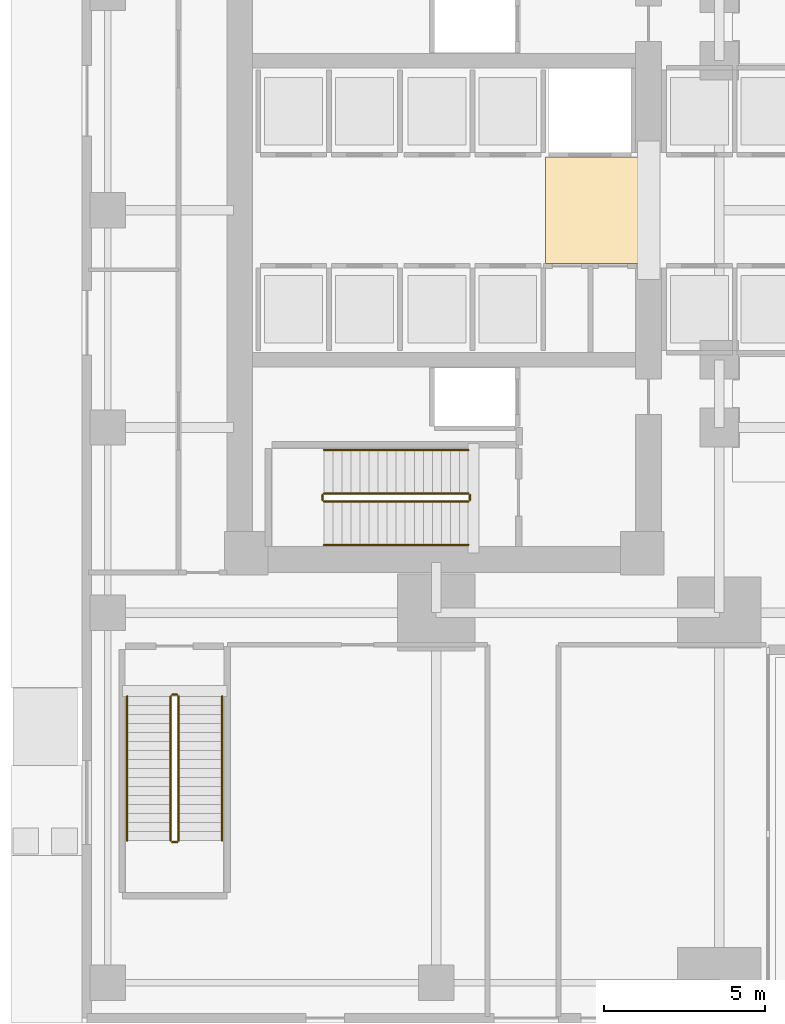
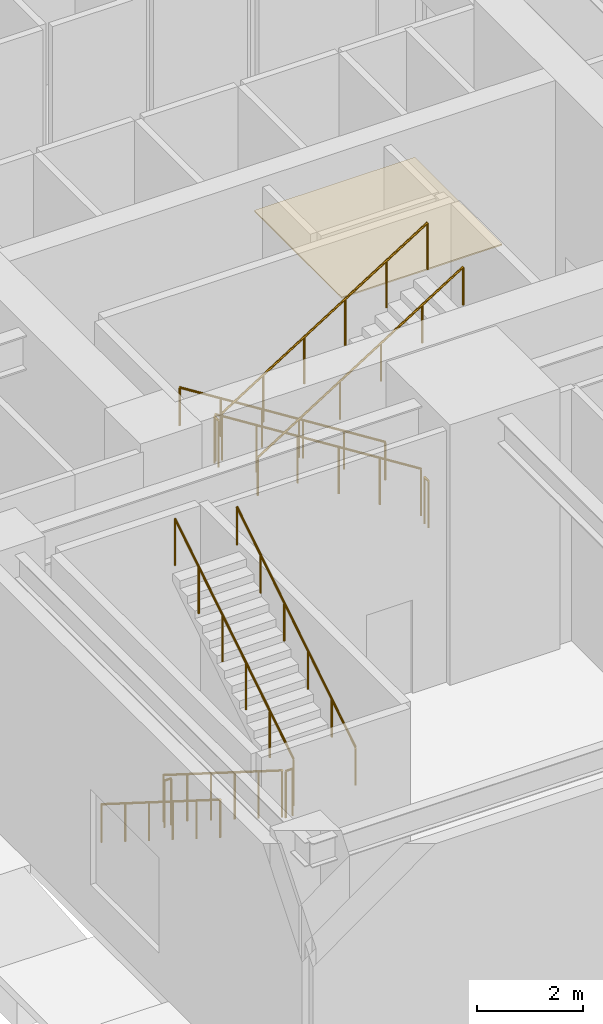
# One storey, part 13 of 17: 12 railings, 1 covering.
"""IFC4 building model written with IfcOpenShell, lengths in metres."""

from ifc_helpers import new_model, si_unit, direction, frame, origin, origin_2d, place, context, subcontext, project, spatial, polyline, circle, outline, extrude, material, layer, layer_set, type_object, element, save


model = new_model("IFC4")

# Units and contexts
model_context = context("Model", 3, precision=1e-05, world=origin(), true_north=direction((0.0, 1.0)))
body_context = subcontext(model_context, "Body", "Model", "MODEL_VIEW")
ifc_project = project(units=[si_unit("LENGTHUNIT", "METRE"), si_unit("AREAUNIT", "SQUARE_METRE"), si_unit("VOLUMEUNIT", "CUBIC_METRE"), si_unit("PLANEANGLEUNIT", "RADIAN"), si_unit("MASSUNIT", "GRAM", prefix="KILO")], contexts=[model_context])

# Site, building, storey
site_placement = place(None, origin())
site = spatial("IfcSite", under=ifc_project, at=site_placement, CompositionType="ELEMENT")
building_placement = place(site_placement, origin())
building = spatial("IfcBuilding", under=site, at=building_placement, Name="Kinhvarn Gate Tower", CompositionType="ELEMENT")
storey_placement = place(building_placement, origin())
storey = spatial("IfcBuildingStorey", under=building, at=storey_placement, Name="L00", CompositionType="ELEMENT", Elevation=0.0)

# Covering
ifc_material_1 = material(Name="Honed granite architectural paving", Category="masonry")
ifc_layer = layer(ifc_material_1, 0.030029296875)
ifc_layer_set = layer_set([ifc_layer], Name="Honed granite architectural paving")
covering_type = type_object("IfcCoveringType", Name="COV-FLR-30", PredefinedType="FLOORING", material=ifc_layer_set)
covering_placement = place(storey_placement, origin())
element("IfcCovering", 1, at=covering_placement, inside=storey, type_object=covering_type, Name="Honed Granite Lift Lobby Flooring (L00)", PredefinedType="FLOORING", context=body_context, shape_type="SweptSolid", body=[
    extrude(outline(polyline([(14.39990234375, 23.60009765625), (14.39990234375, 26.89990234375), (17.89990234375, 26.89990234375), (17.89990234375, 23.60009765625), (14.39990234375, 23.60009765625)])), origin(), (0.0, 0.0, 1.0), 0.030029296875),
])

# Railings
ifc_material_2 = material(Name="Steel S355", Category="steel")
railing_type_1 = type_object("IfcRailingType", Name="RL-ST-GRD", PredefinedType="BALUSTRADE", material=ifc_material_2)
railing_1_placement = place(storey_placement, frame((12.0, 16.449951171875, 0.176513671875)))
element("IfcRailing", 2, at=railing_1_placement, inside=storey, type_object=railing_type_1, Name="L00 ST1 stair guard 1", PredefinedType="BALUSTRADE", context=body_context, shape_type="SweptSolid", body=[
    extrude(circle(Radius=0.02392578125, at=origin_2d()), frame((0.0, 0.0, 1.076171875), z_axis=(-0.845997938375, 0.0, 0.533186166611), x_axis=(0.0, -1.0, 0.0)), (0.0, 0.0, 1.0), 5.29541015625),
    extrude(circle(Radius=0.02099609375, at=origin_2d()), origin(), (0.0, 0.0, 1.0), 1.052001953125),
    extrude(circle(Radius=0.02099609375, at=origin_2d()), frame((-0.89599609375, 0.0, 0.564697265625)), (0.0, 0.0, 1.0), 1.052001953125),
    extrude(circle(Radius=0.02099609375, at=origin_2d()), frame((-1.7919921875, 0.0, 1.12939453125)), (0.0, 0.0, 1.0), 1.052001953125),
    extrude(circle(Radius=0.02099609375, at=origin_2d()), frame((-2.68798828125, 0.0, 1.694091796875)), (0.0, 0.0, 1.0), 1.052001953125),
    extrude(circle(Radius=0.02099609375, at=origin_2d()), frame((-3.583984375, 0.0, 2.2587890625)), (0.0, 0.0, 1.0), 1.052001953125),
    extrude(circle(Radius=0.02099609375, at=origin_2d()), frame((-4.47998046875, 0.0, 2.823486328125)), (0.0, 0.0, 1.0), 1.052001953125),
])
railing_2_placement = place(storey_placement, frame((7.469970703125, 16.39990234375, 3.0)))
element("IfcRailing", 3, at=railing_2_placement, inside=storey, type_object=railing_type_1, Name="L00 ST1 stair guard 2", PredefinedType="BALUSTRADE", context=body_context, shape_type="SweptSolid", body=[
    extrude(circle(Radius=0.02392578125, at=origin_2d()), frame((0.0, 0.0, 1.076171875), z_axis=(0.0, -1.0, 0.0), x_axis=(1.0, 0.0, 0.0)), (0.0, 0.0, 1.0), 0.14990234375),
    extrude(circle(Radius=0.02099609375, at=origin_2d()), origin(), (0.0, 0.0, 1.0), 1.052001953125),
    extrude(circle(Radius=0.02099609375, at=origin_2d()), frame((0.0, -0.14990234375, 0.0)), (0.0, 0.0, 1.0), 1.052001953125),
])
railing_3_placement = place(storey_placement, frame((7.52001953125, 16.199951171875, 3.176513671875)))
element("IfcRailing", 4, at=railing_3_placement, inside=storey, type_object=railing_type_1, Name="L00 ST1 stair guard 3", PredefinedType="BALUSTRADE", context=body_context, shape_type="SweptSolid", body=[
    extrude(circle(Radius=0.02392578125, at=origin_2d()), frame((0.0, 0.0, 1.076171875), z_axis=(0.845997938375, 0.0, 0.533186166611), x_axis=(0.0, 1.0, 0.0)), (0.0, 0.0, 1.0), 5.29541015625),
    extrude(circle(Radius=0.02099609375, at=origin_2d()), origin(), (0.0, 0.0, 1.0), 1.052001953125),
    extrude(circle(Radius=0.02099609375, at=origin_2d()), frame((0.89599609375, 0.0, 0.564697265625)), (0.0, 0.0, 1.0), 1.052001953125),
    extrude(circle(Radius=0.02099609375, at=origin_2d()), frame((1.7919921875, 0.0, 1.12939453125)), (0.0, 0.0, 1.0), 1.052001953125),
    extrude(circle(Radius=0.02099609375, at=origin_2d()), frame((2.68798828125, 0.0, 1.694091796875)), (0.0, 0.0, 1.0), 1.052001953125),
    extrude(circle(Radius=0.02099609375, at=origin_2d()), frame((3.583984375, 0.0, 2.2587890625)), (0.0, 0.0, 1.0), 1.052001953125),
    extrude(circle(Radius=0.02099609375, at=origin_2d()), frame((4.47998046875, 0.0, 2.823486328125)), (0.0, 0.0, 1.0), 1.052001953125),
])
railing_4_placement = place(storey_placement, frame((12.050048828125, 16.39990234375, 0.0)))
element("IfcRailing", 5, at=railing_4_placement, inside=storey, type_object=railing_type_1, Name="L00 ST1 stair guard 4", PredefinedType="BALUSTRADE", context=body_context, shape_type="SweptSolid", body=[
    extrude(circle(Radius=0.02392578125, at=origin_2d()), frame((0.0, 0.0, 1.076171875), z_axis=(0.0, -1.0, 0.0), x_axis=(1.0, 0.0, 0.0)), (0.0, 0.0, 1.0), 0.14990234375),
    extrude(circle(Radius=0.02099609375, at=origin_2d()), origin(), (0.0, 0.0, 1.0), 1.052001953125),
    extrude(circle(Radius=0.02099609375, at=origin_2d()), frame((0.0, -0.14990234375, 0.0)), (0.0, 0.0, 1.0), 1.052001953125),
])
railing_5_placement = place(storey_placement, frame((2.75, 10.14990234375, 0.176513671875)))
element("IfcRailing", 6, at=railing_5_placement, inside=storey, type_object=railing_type_1, Name="L00 ST3 stair guard 1", PredefinedType="BALUSTRADE", context=body_context, shape_type="SweptSolid", body=[
    extrude(circle(Radius=0.02392578125, at=origin_2d()), frame((0.0, 0.0, 1.076171875), z_axis=(0.0, -0.845997938375, 0.533186166611), x_axis=(1.0, 0.0, 0.0)), (0.0, 0.0, 1.0), 5.29541015625),
    extrude(circle(Radius=0.02099609375, at=origin_2d()), origin(), (0.0, 0.0, 1.0), 1.052001953125),
    extrude(circle(Radius=0.02099609375, at=origin_2d()), frame((0.0, -0.89599609375, 0.564697265625)), (0.0, 0.0, 1.0), 1.052001953125),
    extrude(circle(Radius=0.02099609375, at=origin_2d()), frame((0.0, -1.7919921875, 1.12939453125)), (0.0, 0.0, 1.0), 1.052001953125),
    extrude(circle(Radius=0.02099609375, at=origin_2d()), frame((0.0, -2.68798828125, 1.694091796875)), (0.0, 0.0, 1.0), 1.052001953125),
    extrude(circle(Radius=0.02099609375, at=origin_2d()), frame((0.0, -3.583984375, 2.2587890625)), (0.0, 0.0, 1.0), 1.052001953125),
    extrude(circle(Radius=0.02099609375, at=origin_2d()), frame((0.0, -4.47998046875, 2.823486328125)), (0.0, 0.0, 1.0), 1.052001953125),
])
railing_6_placement = place(storey_placement, frame((2.800048828125, 5.6201171875, 3.0)))
element("IfcRailing", 7, at=railing_6_placement, inside=storey, type_object=railing_type_1, Name="L00 ST3 stair guard 2", PredefinedType="BALUSTRADE", context=body_context, shape_type="SweptSolid", body=[
    extrude(circle(Radius=0.02392578125, at=origin_2d()), frame((0.0, 0.0, 1.076171875), z_axis=(1.0, 0.0, 0.0), x_axis=(0.0, 1.0, 0.0)), (0.0, 0.0, 1.0), 0.14990234375),
    extrude(circle(Radius=0.02099609375, at=origin_2d()), origin(), (0.0, 0.0, 1.0), 1.052001953125),
    extrude(circle(Radius=0.02099609375, at=origin_2d()), frame((0.14990234375, 0.0, 0.0)), (0.0, 0.0, 1.0), 1.052001953125),
])
railing_7_placement = place(storey_placement, frame((3.0, 5.669921875, 3.176513671875)))
element("IfcRailing", 8, at=railing_7_placement, inside=storey, type_object=railing_type_1, Name="L00 ST3 stair guard 3", PredefinedType="BALUSTRADE", context=body_context, shape_type="SweptSolid", body=[
    extrude(circle(Radius=0.02392578125, at=origin_2d()), frame((0.0, 0.0, 1.076171875), z_axis=(0.0, 0.845997938375, 0.533186166611), x_axis=(-1.0, 0.0, 0.0)), (0.0, 0.0, 1.0), 5.29541015625),
    extrude(circle(Radius=0.02099609375, at=origin_2d()), origin(), (0.0, 0.0, 1.0), 1.052001953125),
    extrude(circle(Radius=0.02099609375, at=origin_2d()), frame((0.0, 0.89599609375, 0.564697265625)), (0.0, 0.0, 1.0), 1.052001953125),
    extrude(circle(Radius=0.02099609375, at=origin_2d()), frame((0.0, 1.7919921875, 1.12939453125)), (0.0, 0.0, 1.0), 1.052001953125),
    extrude(circle(Radius=0.02099609375, at=origin_2d()), frame((0.0, 2.68798828125, 1.694091796875)), (0.0, 0.0, 1.0), 1.052001953125),
    extrude(circle(Radius=0.02099609375, at=origin_2d()), frame((0.0, 3.583984375, 2.2587890625)), (0.0, 0.0, 1.0), 1.052001953125),
    extrude(circle(Radius=0.02099609375, at=origin_2d()), frame((0.0, 4.47998046875, 2.823486328125)), (0.0, 0.0, 1.0), 1.052001953125),
])
railing_8_placement = place(storey_placement, frame((2.800048828125, 10.199951171875, 0.0)))
element("IfcRailing", 9, at=railing_8_placement, inside=storey, type_object=railing_type_1, Name="L00 ST3 stair guard 4", PredefinedType="BALUSTRADE", context=body_context, shape_type="SweptSolid", body=[
    extrude(circle(Radius=0.02392578125, at=origin_2d()), frame((0.0, 0.0, 1.076171875), z_axis=(1.0, 0.0, 0.0), x_axis=(0.0, 1.0, 0.0)), (0.0, 0.0, 1.0), 0.14990234375),
    extrude(circle(Radius=0.02099609375, at=origin_2d()), origin(), (0.0, 0.0, 1.0), 1.052001953125),
    extrude(circle(Radius=0.02099609375, at=origin_2d()), frame((0.14990234375, 0.0, 0.0)), (0.0, 0.0, 1.0), 1.052001953125),
])
railing_type_2 = type_object("IfcRailingType", Name="RL-ST-HND", PredefinedType="HANDRAIL", material=ifc_material_2)
railing_9_placement = place(storey_placement, frame((12.0, 17.800048828125, 0.176513671875)))
element("IfcRailing", 10, at=railing_9_placement, inside=storey, type_object=railing_type_2, Name="L00 ST1 stair handrail 1", PredefinedType="HANDRAIL", context=body_context, shape_type="SweptSolid", body=[
    extrude(circle(Radius=0.02392578125, at=origin_2d()), frame((0.0, 0.0, 0.8759765625), z_axis=(-0.845997938375, 0.0, 0.533186166611), x_axis=(0.0, -1.0, 0.0)), (0.0, 0.0, 1.0), 5.29541015625),
    extrude(circle(Radius=0.02099609375, at=origin_2d()), origin(), (0.0, 0.0, 1.0), 0.851806640625),
    extrude(circle(Radius=0.02099609375, at=origin_2d()), frame((-0.89599609375, 0.0, 0.564697265625)), (0.0, 0.0, 1.0), 0.851806640625),
    extrude(circle(Radius=0.02099609375, at=origin_2d()), frame((-1.7919921875, 0.0, 1.12939453125)), (0.0, 0.0, 1.0), 0.851806640625),
    extrude(circle(Radius=0.02099609375, at=origin_2d()), frame((-2.68798828125, 0.0, 1.694091796875)), (0.0, 0.0, 1.0), 0.851806640625),
    extrude(circle(Radius=0.02099609375, at=origin_2d()), frame((-3.583984375, 0.0, 2.2587890625)), (0.0, 0.0, 1.0), 0.851806640625),
    extrude(circle(Radius=0.02099609375, at=origin_2d()), frame((-4.47998046875, 0.0, 2.823486328125)), (0.0, 0.0, 1.0), 0.851806640625),
])
railing_10_placement = place(storey_placement, frame((7.52001953125, 14.85009765625, 3.176513671875)))
element("IfcRailing", 11, at=railing_10_placement, inside=storey, type_object=railing_type_2, Name="L00 ST1 stair handrail 2", PredefinedType="HANDRAIL", context=body_context, shape_type="SweptSolid", body=[
    extrude(circle(Radius=0.02392578125, at=origin_2d()), frame((0.0, 0.0, 0.8759765625), z_axis=(0.845997938375, 0.0, 0.533186166611), x_axis=(0.0, 1.0, 0.0)), (0.0, 0.0, 1.0), 5.29541015625),
    extrude(circle(Radius=0.02099609375, at=origin_2d()), origin(), (0.0, 0.0, 1.0), 0.851806640625),
    extrude(circle(Radius=0.02099609375, at=origin_2d()), frame((0.89599609375, 0.0, 0.564697265625)), (0.0, 0.0, 1.0), 0.851806640625),
    extrude(circle(Radius=0.02099609375, at=origin_2d()), frame((1.7919921875, 0.0, 1.12939453125)), (0.0, 0.0, 1.0), 0.851806640625),
    extrude(circle(Radius=0.02099609375, at=origin_2d()), frame((2.68798828125, 0.0, 1.694091796875)), (0.0, 0.0, 1.0), 0.851806640625),
    extrude(circle(Radius=0.02099609375, at=origin_2d()), frame((3.583984375, 0.0, 2.2587890625)), (0.0, 0.0, 1.0), 0.851806640625),
    extrude(circle(Radius=0.02099609375, at=origin_2d()), frame((4.47998046875, 0.0, 2.823486328125)), (0.0, 0.0, 1.0), 0.851806640625),
])
railing_11_placement = place(storey_placement, frame((1.39990234375, 10.14990234375, 0.176513671875)))
element("IfcRailing", 12, at=railing_11_placement, inside=storey, type_object=railing_type_2, Name="L00 ST3 stair handrail 1", PredefinedType="HANDRAIL", context=body_context, shape_type="SweptSolid", body=[
    extrude(circle(Radius=0.02392578125, at=origin_2d()), frame((0.0, 0.0, 0.8759765625), z_axis=(0.0, -0.845997938375, 0.533186166611), x_axis=(1.0, 0.0, 0.0)), (0.0, 0.0, 1.0), 5.29541015625),
    extrude(circle(Radius=0.02099609375, at=origin_2d()), origin(), (0.0, 0.0, 1.0), 0.851806640625),
    extrude(circle(Radius=0.02099609375, at=origin_2d()), frame((0.0, -0.89599609375, 0.564697265625)), (0.0, 0.0, 1.0), 0.851806640625),
    extrude(circle(Radius=0.02099609375, at=origin_2d()), frame((0.0, -1.7919921875, 1.12939453125)), (0.0, 0.0, 1.0), 0.851806640625),
    extrude(circle(Radius=0.02099609375, at=origin_2d()), frame((0.0, -2.68798828125, 1.694091796875)), (0.0, 0.0, 1.0), 0.851806640625),
    extrude(circle(Radius=0.02099609375, at=origin_2d()), frame((0.0, -3.583984375, 2.2587890625)), (0.0, 0.0, 1.0), 0.851806640625),
    extrude(circle(Radius=0.02099609375, at=origin_2d()), frame((0.0, -4.47998046875, 2.823486328125)), (0.0, 0.0, 1.0), 0.851806640625),
])
railing_12_placement = place(storey_placement, frame((4.35009765625, 5.669921875, 3.176513671875)))
element("IfcRailing", 13, at=railing_12_placement, inside=storey, type_object=railing_type_2, Name="L00 ST3 stair handrail 2", PredefinedType="HANDRAIL", context=body_context, shape_type="SweptSolid", body=[
    extrude(circle(Radius=0.02392578125, at=origin_2d()), frame((0.0, 0.0, 0.8759765625), z_axis=(0.0, 0.845997938375, 0.533186166611), x_axis=(-1.0, 0.0, 0.0)), (0.0, 0.0, 1.0), 5.29541015625),
    extrude(circle(Radius=0.02099609375, at=origin_2d()), origin(), (0.0, 0.0, 1.0), 0.851806640625),
    extrude(circle(Radius=0.02099609375, at=origin_2d()), frame((0.0, 0.89599609375, 0.564697265625)), (0.0, 0.0, 1.0), 0.851806640625),
    extrude(circle(Radius=0.02099609375, at=origin_2d()), frame((0.0, 1.7919921875, 1.12939453125)), (0.0, 0.0, 1.0), 0.851806640625),
    extrude(circle(Radius=0.02099609375, at=origin_2d()), frame((0.0, 2.68798828125, 1.694091796875)), (0.0, 0.0, 1.0), 0.851806640625),
    extrude(circle(Radius=0.02099609375, at=origin_2d()), frame((0.0, 3.583984375, 2.2587890625)), (0.0, 0.0, 1.0), 0.851806640625),
    extrude(circle(Radius=0.02099609375, at=origin_2d()), frame((0.0, 4.47998046875, 2.823486328125)), (0.0, 0.0, 1.0), 0.851806640625),
])

save(model, "model.ifc")
